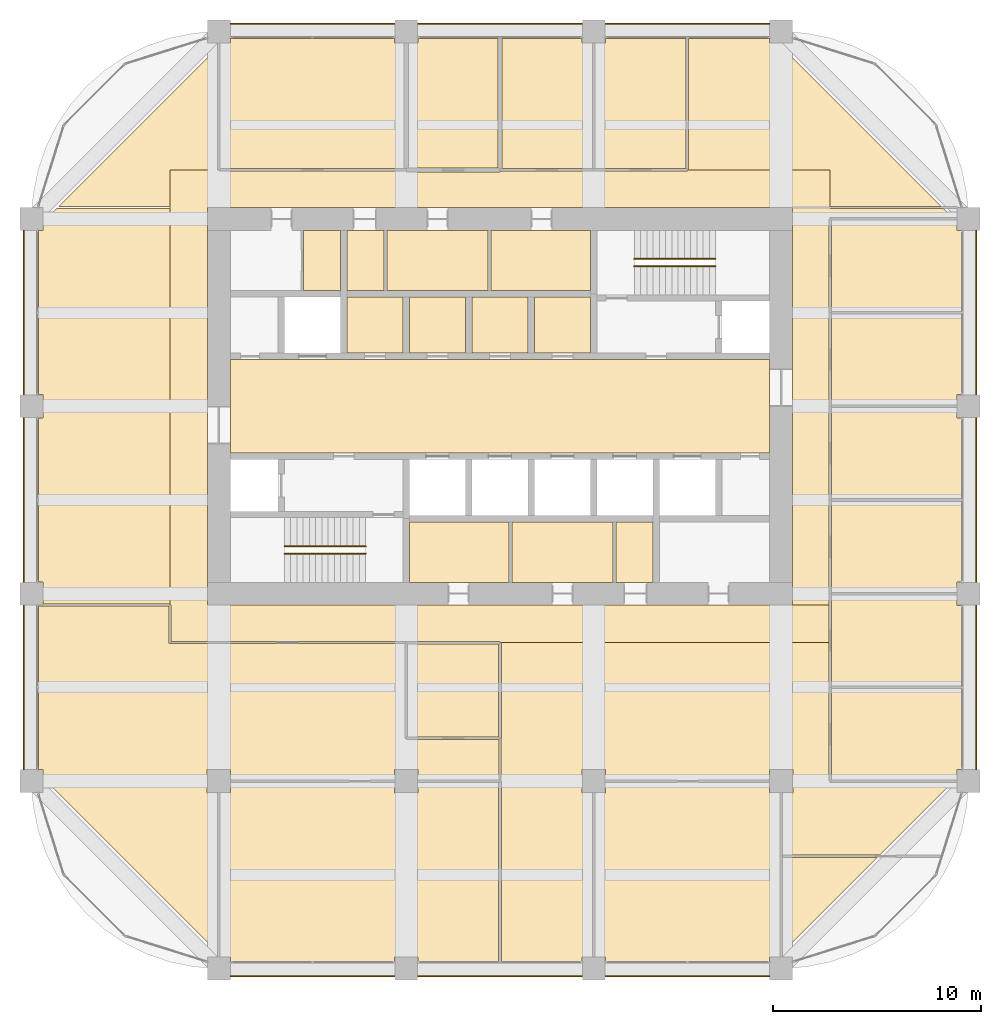
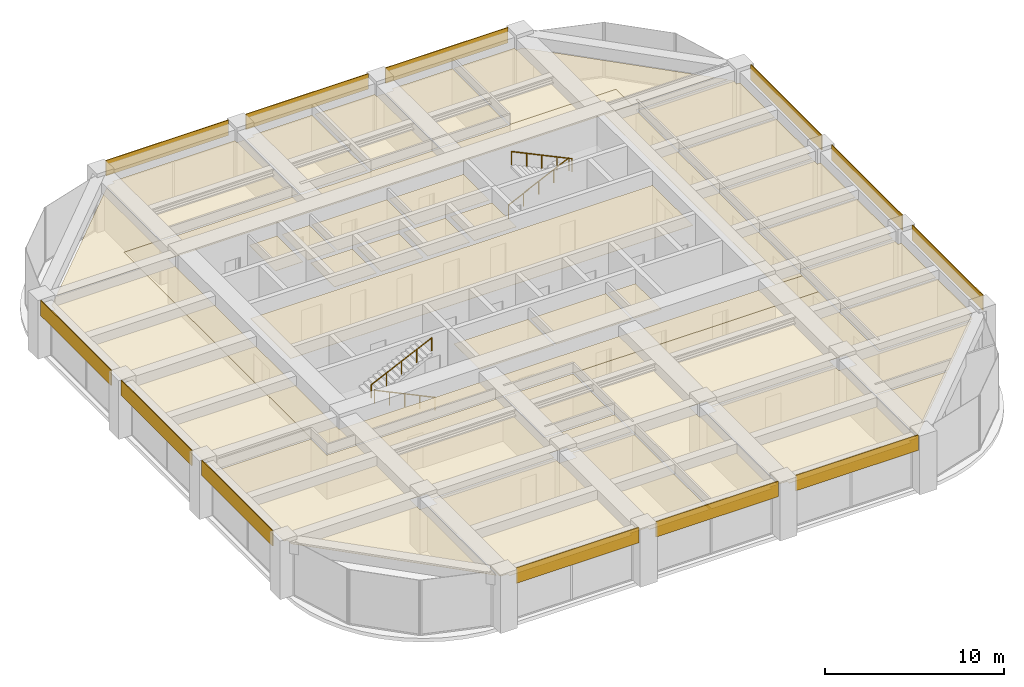
# One storey, part 45 of 45: 45 coverings, 4 railings.
"""IFC4 building model written with IfcOpenShell, lengths in metres."""

import ifcopenshell
import ifcopenshell.guid

model = None  # the IFC model being written
_history = None  # IfcOwnerHistory: only IFC2X3 demands one
_inside = {}  # id of a spatial element -> (the spatial element, [elements in it])
_under = {}  # id of a project, library or spatial element -> (it, [spatial elements below it])
_declared = {}  # id of a project -> (the project, [libraries it declares])
_typed = {}  # id of a type object -> (the type object, [elements of that type])
_made_of = {}  # id of a material, layer set ... -> (it, [elements and type objects made of it])


def new_model(schema):
    """Start an empty IFC model of exactly this schema.

    Asked for "IFC4X3", IfcOpenShell would pick the latest addendum, in which some entities
    have other attributes; the version numbers below select the first issue.
    IFC2X3 requires an IfcOwnerHistory on every rooted entity: one is made here for all.
    """
    global model, _history
    if schema == "IFC4X3":
        model = ifcopenshell.file(schema_version=(4, 3, 0, 0))
    else:
        model = ifcopenshell.file(schema=schema)
    _inside.clear()
    _under.clear()
    _declared.clear()
    _typed.clear()
    _made_of.clear()
    _history = None
    if model.schema == "IFC2X3":
        org = make("IfcOrganization", Name="unknown")
        user = make(
            "IfcPersonAndOrganization",
            ThePerson=make("IfcPerson", FamilyName="unknown"),
            TheOrganization=org,
        )
        app = make(
            "IfcApplication",
            ApplicationDeveloper=org,
            Version="unknown",
            ApplicationFullName="unknown",
            ApplicationIdentifier="unknown",
        )
        _history = make(
            "IfcOwnerHistory",
            OwningUser=user,
            OwningApplication=app,
            ChangeAction="ADDED",
            CreationDate=0,
        )
    return model


def make(cls, **values):
    """One entity of the class cls with the attributes given. An attribute that is None is left unset."""
    return model.create_entity(
        cls, **{name: value for name, value in values.items() if value is not None}
    )


def rooted(cls, **values):
    """An entity with a GlobalId (a new one), such as an element, a storey or a relation."""
    return make(cls, GlobalId=ifcopenshell.guid.new(), OwnerHistory=_history, **values)


def si_unit(unit_type, name, prefix=None):
    """IfcSIUnit, for example si_unit("LENGTHUNIT", "METRE", prefix="MILLI")."""
    return make("IfcSIUnit", UnitType=unit_type, Prefix=prefix, Name=name)


def assignment(units):
    """IfcUnitAssignment: the units of a project."""
    return None if units is None else make("IfcUnitAssignment", Units=units)


def point(xyz):
    """IfcCartesianPoint."""
    return None if xyz is None else make("IfcCartesianPoint", Coordinates=xyz)


def direction(xyz):
    """IfcDirection."""
    return None if xyz is None else make("IfcDirection", DirectionRatios=xyz)


def frame(location, z_axis=None, x_axis=None):
    """IfcAxis2Placement3D, a coordinate frame: its origin and axes. An axis left out is left unset."""
    return make(
        "IfcAxis2Placement3D",
        Location=point(location),
        Axis=direction(z_axis),
        RefDirection=direction(x_axis),
    )


def frame_2d(location, x_axis=None):
    """IfcAxis2Placement2D, a coordinate frame in the plane: its origin and x axis."""
    return make(
        "IfcAxis2Placement2D", Location=point(location), RefDirection=direction(x_axis)
    )


def origin():
    """The frame at (0, 0, 0) with its axes left unset."""
    return frame((0.0, 0.0, 0.0))


def origin_2d():
    """The frame at (0, 0) in the plane with its x axis left unset."""
    return frame_2d((0.0, 0.0))


def place(relative_to, where):
    """IfcLocalPlacement: puts the frame where relative to a parent placement (None: the world)."""
    return make(
        "IfcLocalPlacement", PlacementRelTo=relative_to, RelativePlacement=where
    )


def context(
    kind, dimensions, precision=None, world=None, true_north=None, identifier=None
):
    """IfcGeometricRepresentationContext, for example the 3D "Model" context."""
    return make(
        "IfcGeometricRepresentationContext",
        ContextIdentifier=identifier,
        ContextType=kind,
        CoordinateSpaceDimension=dimensions,
        Precision=precision,
        WorldCoordinateSystem=world,
        TrueNorth=true_north,
    )


def subcontext(parent, identifier, kind, view, scale=None):
    """IfcGeometricRepresentationSubContext, for example "Body" below "Model"."""
    return make(
        "IfcGeometricRepresentationSubContext",
        ContextIdentifier=identifier,
        ContextType=kind,
        ParentContext=parent,
        TargetScale=scale,
        TargetView=view,
    )


def project(units=None, contexts=None):
    """IfcProject with its units and contexts."""
    return rooted(
        "IfcProject",
        Name="project",
        RepresentationContexts=contexts,
        UnitsInContext=assignment(units),
    )


def spatial(cls, under=None, at=None, **own):
    """A site, building, storey or space (cls), placed at a placement, below another one or the project."""
    s = rooted(cls, ObjectPlacement=at, **own)
    if under is not None:
        _under.setdefault(under.id(), (under, []))[1].append(s)
    return s


def polyline(points):
    """IfcPolyline through the points."""
    return make("IfcPolyline", Points=[point(p) for p in points])


def profile(cls, at=None, kind="AREA", **sizes):
    """A parametric profile (cls). Its sizes go by their IFC names, for example OverallWidth=200.0."""
    return make(cls, ProfileType=kind, Position=at, **sizes)


def rectangle(**sizes):
    """IfcRectangleProfileDef."""
    return profile("IfcRectangleProfileDef", **sizes)


def circle(**sizes):
    """IfcCircleProfileDef."""
    return profile("IfcCircleProfileDef", **sizes)


def outline(outer, holes=None, kind="AREA"):
    """IfcArbitraryClosedProfileDef: a profile drawn as a closed curve; with holes, ...WithVoids."""
    if holes is None:
        return make("IfcArbitraryClosedProfileDef", ProfileType=kind, OuterCurve=outer)
    return make(
        "IfcArbitraryProfileDefWithVoids",
        ProfileType=kind,
        OuterCurve=outer,
        InnerCurves=holes,
    )


def extrude(swept, where, along, depth):
    """IfcExtrudedAreaSolid: the profile swept, set in the frame where, extruded along a direction by depth."""
    return make(
        "IfcExtrudedAreaSolid",
        SweptArea=swept,
        Position=where,
        ExtrudedDirection=direction(along),
        Depth=depth,
    )


def shape(context_of_items, identifier, shape_type, items):
    """IfcShapeRepresentation: the items that make up one representation, for example the "Body"."""
    return make(
        "IfcShapeRepresentation",
        ContextOfItems=context_of_items,
        RepresentationIdentifier=identifier,
        RepresentationType=shape_type,
        Items=items,
    )


def material(Name=None, Category=None):
    """IfcMaterial."""
    return make("IfcMaterial", Name=Name, Category=Category)


def layer(
    of_material, thickness, ventilated=None, Name=None, Category=None, Priority=None
):
    """IfcMaterialLayer: one layer of a wall or slab, of a material (None: an air gap)."""
    return make(
        "IfcMaterialLayer",
        Material=of_material,
        LayerThickness=thickness,
        IsVentilated=ventilated,
        Name=Name,
        Category=Category,
        Priority=Priority,
    )


def layer_set(layers, Name=None):
    """IfcMaterialLayerSet."""
    return make("IfcMaterialLayerSet", MaterialLayers=layers, LayerSetName=Name)


def made_of(thing, what):
    """Note that an element or type object is made of a material, layer set ...; save() writes the relation."""
    if what is not None:
        _made_of.setdefault(what.id(), (what, []))[1].append(thing)
    return thing


def type_object(cls, material=None, **own):
    """A type object (cls), such as IfcWallType, which elements share."""
    return made_of(rooted(cls, **own), material)


def element(
    cls,
    number,
    at=None,
    inside=None,
    cuts=None,
    type_object=None,
    material=None,
    context=None,
    identifier="Body",
    shape_type=None,
    held_by="IfcProductDefinitionShape",
    body=None,
    shapes=None,
    **own,
):
    """One element of the class cls, such as IfcWall. Its Tag is "e" and its number.

    at: its placement. inside: the storey or other place that contains it. cuts: it is an
    opening in that element (IfcRelVoidsElement). A single representation is given by context,
    identifier, shape_type and body (its items); several are given by shapes. held_by: the class
    of the entity that holds the representations. save() writes the other relations.
    """
    e = rooted(cls, Tag="e%d" % number, ObjectPlacement=at, **own)
    if body is not None:
        shapes = [shape(context, identifier, shape_type, body)]
    if shapes is not None:
        e.Representation = make(held_by, Representations=shapes)
    if inside is not None:
        _inside.setdefault(inside.id(), (inside, []))[1].append(e)
    if cuts is not None:
        rooted(
            "IfcRelVoidsElement", RelatingBuildingElement=cuts, RelatedOpeningElement=e
        )
    if type_object is not None:
        _typed.setdefault(type_object.id(), (type_object, []))[1].append(e)
    return made_of(e, material)


def aggregate(whole, parts):
    """IfcRelAggregates: a whole, such as a stair, and the parts it consists of."""
    return rooted("IfcRelAggregates", RelatingObject=whole, RelatedObjects=parts)


def save(model, path):
    """Write the relations noted so far, then the file.

    IfcRelAggregates (storeys below a building ...), IfcRelContainedInSpatialStructure (elements
    in a storey), IfcRelDefinesByType, IfcRelAssociatesMaterial and IfcRelDeclares: one each for
    every whole, place, type object, material and project.
    """
    for whole, parts in _under.values():
        aggregate(whole, parts)
    for where, things in _inside.values():
        rooted(
            "IfcRelContainedInSpatialStructure",
            RelatedElements=things,
            RelatingStructure=where,
        )
    for kind, things in _typed.values():
        rooted("IfcRelDefinesByType", RelatedObjects=things, RelatingType=kind)
    for what, things in _made_of.values():
        rooted("IfcRelAssociatesMaterial", RelatedObjects=things, RelatingMaterial=what)
    for by, libraries in _declared.values():
        rooted("IfcRelDeclares", RelatingContext=by, RelatedDefinitions=libraries)
    model.write(path)


model = new_model("IFC4")

# Units and contexts
model_context = context("Model", 3, precision=1e-05, world=origin(), true_north=direction((0.0, 1.0)))
body_context = subcontext(model_context, "Body", "Model", "MODEL_VIEW")
ifc_project = project(units=[si_unit("LENGTHUNIT", "METRE"), si_unit("AREAUNIT", "SQUARE_METRE"), si_unit("VOLUMEUNIT", "CUBIC_METRE"), si_unit("PLANEANGLEUNIT", "RADIAN"), si_unit("MASSUNIT", "GRAM", prefix="KILO")], contexts=[model_context])

# Site, building, storey
site_placement = place(None, origin())
site = spatial("IfcSite", under=ifc_project, at=site_placement, CompositionType="ELEMENT")
building_placement = place(site_placement, origin())
building = spatial("IfcBuilding", under=site, at=building_placement, Name="Zorevar Civic Tower", CompositionType="ELEMENT")
storey_placement = place(building_placement, frame((0.0, 0.0, 279.39990234375)))
storey = spatial("IfcBuildingStorey", under=building, at=storey_placement, Name="L68", CompositionType="ELEMENT", Elevation=279.39990234375)

# Railings
ifc_material_1 = material(Name="Black steel handrail", Category="steel")
railing_type = type_object("IfcRailingType", Name="Handrail HR1 900", PredefinedType="HANDRAIL", material=ifc_material_1)
railing_1_placement = place(storey_placement, frame((25.050048828125, 19.925048828125, 0.14306640625)))
element("IfcRailing", 1, at=railing_1_placement, inside=storey, type_object=railing_type, Name="Handrail HR1 ST1 L68", PredefinedType="HANDRAIL", context=body_context, shape_type="SweptSolid", body=[
    extrude(circle(Radius=0.02392578125, at=origin_2d()), frame((0.0, 0.0, 0.8759765625), z_axis=(-0.902885590262, 0.0, 0.429880926418), x_axis=(0.0, -1.0, 0.0)), (0.0, 0.0, 1.0), 4.319580078125),
    extrude(circle(Radius=0.02099609375, at=origin_2d()), origin(), (0.0, 0.0, 1.0), 0.851806640625),
    extrude(circle(Radius=0.02099609375, at=origin_2d()), frame((-0.97509765625, 0.0, 0.46435546875)), (0.0, 0.0, 1.0), 0.851806640625),
    extrude(circle(Radius=0.02099609375, at=origin_2d()), frame((-1.9501953125, 0.0, 0.928466796875)), (0.0, 0.0, 1.0), 0.851806640625),
    extrude(circle(Radius=0.02099609375, at=origin_2d()), frame((-2.925048828125, 0.0, 1.392578125)), (0.0, 0.0, 1.0), 0.851806640625),
    extrude(circle(Radius=0.02099609375, at=origin_2d()), frame((-3.900146484375, 0.0, 1.85693359375)), (0.0, 0.0, 1.0), 0.851806640625),
])
for number, where, name in (
    (2, (21.14990234375, 20.27490234375, 2.14306640625), "Handrail HR1 ST1 L68"),
    (3, (37.949951171875, 34.074951171875, 0.14306640625), "Handrail HR1 ST2 L68"),
):
    element("IfcRailing", number, at=place(storey_placement, frame(where)), inside=storey, type_object=railing_type, Name=name, PredefinedType="HANDRAIL", context=body_context, shape_type="SweptSolid", body=[
        extrude(circle(Radius=0.02392578125, at=origin_2d()), frame((0.0, 0.0, 0.8759765625), z_axis=(0.902885590262, 0.0, 0.429880926418), x_axis=(0.0, 1.0, 0.0)), (0.0, 0.0, 1.0), 4.319580078125),
        extrude(circle(Radius=0.02099609375, at=origin_2d()), origin(), (0.0, 0.0, 1.0), 0.851806640625),
        extrude(circle(Radius=0.02099609375, at=origin_2d()), frame((0.97509765625, 0.0, 0.46435546875)), (0.0, 0.0, 1.0), 0.851806640625),
        extrude(circle(Radius=0.02099609375, at=origin_2d()), frame((1.9501953125, 0.0, 0.928466796875)), (0.0, 0.0, 1.0), 0.851806640625),
        extrude(circle(Radius=0.02099609375, at=origin_2d()), frame((2.925048828125, 0.0, 1.392578125)), (0.0, 0.0, 1.0), 0.851806640625),
        extrude(circle(Radius=0.02099609375, at=origin_2d()), frame((3.900146484375, 0.0, 1.85693359375)), (0.0, 0.0, 1.0), 0.851806640625),
    ])
railing_2_placement = place(storey_placement, frame((41.85009765625, 33.72509765625, 2.14306640625)))
element("IfcRailing", 4, at=railing_2_placement, inside=storey, type_object=railing_type, Name="Handrail HR1 ST2 L68", PredefinedType="HANDRAIL", context=body_context, shape_type="SweptSolid", body=[
    extrude(circle(Radius=0.02392578125, at=origin_2d()), frame((0.0, 0.0, 0.8759765625), z_axis=(-0.902885590262, 0.0, 0.429880926418), x_axis=(0.0, -1.0, 0.0)), (0.0, 0.0, 1.0), 4.319580078125),
    extrude(circle(Radius=0.02099609375, at=origin_2d()), origin(), (0.0, 0.0, 1.0), 0.851806640625),
    extrude(circle(Radius=0.02099609375, at=origin_2d()), frame((-0.97509765625, 0.0, 0.46435546875)), (0.0, 0.0, 1.0), 0.851806640625),
    extrude(circle(Radius=0.02099609375, at=origin_2d()), frame((-1.9501953125, 0.0, 0.928466796875)), (0.0, 0.0, 1.0), 0.851806640625),
    extrude(circle(Radius=0.02099609375, at=origin_2d()), frame((-2.925048828125, 0.0, 1.392578125)), (0.0, 0.0, 1.0), 0.851806640625),
    extrude(circle(Radius=0.02099609375, at=origin_2d()), frame((-3.900146484375, 0.0, 1.85693359375)), (0.0, 0.0, 1.0), 0.851806640625),
])

# Coverings
ifc_material_2 = material(Name="Moisture-resistant gypsum board")
ifc_layer_1 = layer(ifc_material_2, 0.012451171875)
ifc_layer_set_1 = layer_set([ifc_layer_1], Name="Moisture-resistant ceiling SC3")
covering_type_1 = type_object("IfcCoveringType", Name="Moisture-resistant ceiling SC3", PredefinedType="CEILING", material=ifc_layer_set_1)
covering_1_placement = place(storey_placement, frame((0.0, 0.0, 3.0)))
element("IfcCovering", 5, at=covering_1_placement, inside=storey, type_object=covering_type_1, Name="Ceiling L68-05", PredefinedType="CEILING", context=body_context, shape_type="SweptSolid", body=[
    extrude(outline(polyline([(31.925048828125, 18.550048828125), (31.925048828125, 21.449951171875), (27.14990234375, 21.449951171875), (27.14990234375, 18.550048828125), (31.925048828125, 18.550048828125)])), origin(), (0.0, 0.0, 1.0), 0.0126953125),
])
covering_2_placement = place(storey_placement, frame((0.0, 0.0, 3.0)))
element("IfcCovering", 6, at=covering_2_placement, inside=storey, type_object=covering_type_1, Name="Ceiling L68-06", PredefinedType="CEILING", context=body_context, shape_type="SweptSolid", body=[
    extrude(outline(polyline([(36.925048828125, 18.550048828125), (36.925048828125, 21.449951171875), (32.074951171875, 21.449951171875), (32.074951171875, 18.550048828125), (36.925048828125, 18.550048828125)])), origin(), (0.0, 0.0, 1.0), 0.0126953125),
])
covering_3_placement = place(storey_placement, frame((0.0, 0.0, 3.0)))
element("IfcCovering", 7, at=covering_3_placement, inside=storey, type_object=covering_type_1, Name="Ceiling L68-07", PredefinedType="CEILING", context=body_context, shape_type="SweptSolid", body=[
    extrude(outline(polyline([(38.85009765625, 18.550048828125), (38.85009765625, 21.449951171875), (37.074951171875, 21.449951171875), (37.074951171875, 18.550048828125), (38.85009765625, 18.550048828125)])), origin(), (0.0, 0.0, 1.0), 0.0126953125),
])
covering_4_placement = place(storey_placement, frame((0.0, 0.0, 3.0)))
element("IfcCovering", 8, at=covering_4_placement, inside=storey, type_object=covering_type_1, Name="Ceiling L68-08", PredefinedType="CEILING", context=body_context, shape_type="SweptSolid", body=[
    extrude(outline(polyline([(35.85009765625, 32.550048828125), (35.85009765625, 35.449951171875), (31.074951171875, 35.449951171875), (31.074951171875, 32.550048828125), (35.85009765625, 32.550048828125)])), origin(), (0.0, 0.0, 1.0), 0.0126953125),
])
covering_5_placement = place(storey_placement, frame((0.0, 0.0, 3.0)))
element("IfcCovering", 9, at=covering_5_placement, inside=storey, type_object=covering_type_1, Name="Ceiling L68-09", PredefinedType="CEILING", context=body_context, shape_type="SweptSolid", body=[
    extrude(outline(polyline([(30.925048828125, 32.550048828125), (30.925048828125, 35.449951171875), (26.074951171875, 35.449951171875), (26.074951171875, 32.550048828125), (30.925048828125, 32.550048828125)])), origin(), (0.0, 0.0, 1.0), 0.0126953125),
])
covering_6_placement = place(storey_placement, frame((0.0, 0.0, 3.0)))
element("IfcCovering", 10, at=covering_6_placement, inside=storey, type_object=covering_type_1, Name="Ceiling L68-10", PredefinedType="CEILING", context=body_context, shape_type="SweptSolid", body=[
    extrude(outline(polyline([(25.925048828125, 32.550048828125), (25.925048828125, 35.449951171875), (24.14990234375, 35.449951171875), (24.14990234375, 32.550048828125), (25.925048828125, 32.550048828125)])), origin(), (0.0, 0.0, 1.0), 0.0126953125),
])
ifc_material_3 = material(Name="Black anodised aluminium spandrel panel", Category="aluminium")
ifc_layer_2 = layer(ifc_material_3, 0.050048828125)
ifc_layer_set_2 = layer_set([ifc_layer_2], Name="Spandrel cladding SP1")
covering_type_2 = type_object("IfcCoveringType", Name="Spandrel cladding SP1", PredefinedType="CLADDING", material=ifc_layer_set_2)
for number, where, z_axis, x_axis, name in (
    (11, (18.550048828125, -0.375, 2.9501953125), (0.0, 0.0, 1.0), (1.0, 0.0, 0.0), "Spandrel cladding L69"),
    (12, (27.550048828125, -0.375, 2.9501953125), (0.0, 0.0, 1.0), (1.0, 0.0, 0.0), "Spandrel cladding L69"),
    (13, (36.550048828125, -0.375, 2.9501953125), (0.0, 0.0, 1.0), (1.0, 0.0, 0.0), "Spandrel cladding L69"),
    (14, (18.550048828125, 45.375, 2.9501953125), (0.0, 0.0, 1.0), (1.0, 0.0, 0.0), "Spandrel cladding L69"),
    (15, (27.550048828125, 45.375, 2.9501953125), (0.0, 0.0, 1.0), (1.0, 0.0, 0.0), "Spandrel cladding L69"),
    (16, (36.550048828125, 45.375, 2.9501953125), (0.0, 0.0, 1.0), (1.0, 0.0, 0.0), "Spandrel cladding L69"),
    (17, (8.625, 9.550048828125, 2.9501953125), (0.0, 0.0, 1.0), (0.0, 1.0, 0.0), "Spandrel cladding L69"),
    (18, (8.625, 18.550048828125, 2.9501953125), (0.0, 0.0, 1.0), (0.0, 1.0, 0.0), "Spandrel cladding L69"),
    (19, (8.625, 27.550048828125, 2.9501953125), (0.0, 0.0, 1.0), (0.0, 1.0, 0.0), "Spandrel cladding L69"),
    (20, (54.375, 9.550048828125, 2.9501953125), (0.0, 0.0, 1.0), (0.0, 1.0, 0.0), "Spandrel cladding L69"),
    (21, (54.375, 18.550048828125, 2.9501953125), (0.0, 0.0, 1.0), (0.0, 1.0, 0.0), "Spandrel cladding L69"),
    (22, (54.375, 27.550048828125, 2.9501953125), (0.0, 0.0, 1.0), (0.0, 1.0, 0.0), "Spandrel cladding L69"),
):
    element("IfcCovering", number, at=place(storey_placement, frame(where, z_axis=z_axis, x_axis=x_axis)), inside=storey, type_object=covering_type_2, Name=name, PredefinedType="CLADDING", context=body_context, shape_type="SweptSolid", body=[
        extrude(rectangle(XDim=7.89990234375, YDim=0.050048828125, at=frame_2d((3.949951171875, 0.0))), origin(), (0.0, 0.0, 1.0), 1.0498046875),
    ])
ifc_material_4 = material(Name="Mineral fibre tiles on a concealed grid")
ifc_layer_3 = layer(ifc_material_4, 0.02001953125)
ifc_layer_set_3 = layer_set([ifc_layer_3], Name="Suspended ceiling SC1")
covering_type_3 = type_object("IfcCoveringType", Name="Suspended ceiling SC1", PredefinedType="CEILING", material=ifc_layer_set_3)
covering_7_placement = place(storey_placement, frame((0.0, 0.0, 3.0)))
element("IfcCovering", 23, at=covering_7_placement, inside=storey, type_object=covering_type_3, Name="Ceiling L68-12", PredefinedType="CEILING", context=body_context, shape_type="SweptSolid", body=[
    extrude(outline(polyline([(23.85009765625, 32.550048828125), (23.85009765625, 35.449951171875), (22.06005859375, 35.449951171875), (22.06005859375, 32.550048828125), (23.85009765625, 32.550048828125)])), origin(), (0.0, 0.0, 1.0), 0.02001953125),
])
covering_8_placement = place(storey_placement, frame((0.0, 0.0, 3.0)))
element("IfcCovering", 24, at=covering_8_placement, inside=storey, type_object=covering_type_3, Name="Ceiling L68-16", PredefinedType="CEILING", context=body_context, shape_type="SweptSolid", body=[
    extrude(outline(polyline([(44.449951171875, 24.75), (44.449951171875, 29.25), (18.550048828125, 29.25), (18.550048828125, 24.75), (44.449951171875, 24.75)])), origin(), (0.0, 0.0, 1.0), 0.02001953125),
])
covering_9_placement = place(storey_placement, frame((0.0, 0.0, 3.0)))
element("IfcCovering", 25, at=covering_9_placement, inside=storey, type_object=covering_type_3, Name="Ceiling L68-17", PredefinedType="CEILING", context=body_context, shape_type="SweptSolid", body=[
    extrude(outline(polyline([(35.85009765625, 29.550048828125), (35.85009765625, 32.25), (33.14990234375, 32.25), (33.14990234375, 29.550048828125), (35.85009765625, 29.550048828125)])), origin(), (0.0, 0.0, 1.0), 0.02001953125),
])
covering_10_placement = place(storey_placement, frame((0.0, 0.0, 3.0)))
element("IfcCovering", 26, at=covering_10_placement, inside=storey, type_object=covering_type_3, Name="Ceiling L68-18", PredefinedType="CEILING", context=body_context, shape_type="SweptSolid", body=[
    extrude(outline(polyline([(32.85009765625, 29.550048828125), (32.85009765625, 32.25), (30.14990234375, 32.25), (30.14990234375, 29.550048828125), (32.85009765625, 29.550048828125)])), origin(), (0.0, 0.0, 1.0), 0.02001953125),
])
covering_11_placement = place(storey_placement, frame((0.0, 0.0, 3.0)))
element("IfcCovering", 27, at=covering_11_placement, inside=storey, type_object=covering_type_3, Name="Ceiling L68-19", PredefinedType="CEILING", context=body_context, shape_type="SweptSolid", body=[
    extrude(outline(polyline([(29.85009765625, 29.550048828125), (29.85009765625, 32.25), (27.14990234375, 32.25), (27.14990234375, 29.550048828125), (29.85009765625, 29.550048828125)])), origin(), (0.0, 0.0, 1.0), 0.02001953125),
])
covering_12_placement = place(storey_placement, frame((0.0, 0.0, 3.0)))
element("IfcCovering", 28, at=covering_12_placement, inside=storey, type_object=covering_type_3, Name="Ceiling L68-20", PredefinedType="CEILING", context=body_context, shape_type="SweptSolid", body=[
    extrude(outline(polyline([(26.85009765625, 29.550048828125), (26.85009765625, 32.25), (24.14990234375, 32.25), (24.14990234375, 29.550048828125), (26.85009765625, 29.550048828125)])), origin(), (0.0, 0.0, 1.0), 0.02001953125),
])
covering_13_placement = place(storey_placement, frame((0.0, 0.0, 3.0)))
element("IfcCovering", 29, at=covering_13_placement, inside=storey, type_object=covering_type_3, Name="Ceiling L68-21", PredefinedType="CEILING", context=body_context, shape_type="SweptSolid", body=[
    extrude(outline(polyline([(18.147216796875, 0.56005859375), (18.06005859375, 0.647216796875), (18.06005859375, 8.43994140625), (18.56005859375, 8.43994140625), (18.56005859375, 8.93994140625), (26.43994140625, 8.93994140625), (26.43994140625, 8.43994140625), (27.56005859375, 8.43994140625), (27.56005859375, 8.93994140625), (31.43994140625, 8.93994140625), (31.43994140625, 0.35009765625), (27.56005859375, 0.35009765625), (27.56005859375, 0.56005859375), (26.43994140625, 0.56005859375), (26.43994140625, 0.35009765625), (18.56005859375, 0.35009765625), (18.56005859375, 0.56005859375), (18.147216796875, 0.56005859375)])), origin(), (0.0, 0.0, 1.0), 0.02001953125),
])
covering_14_placement = place(storey_placement, frame((0.0, 0.0, 3.0)))
element("IfcCovering", 30, at=covering_14_placement, inside=storey, type_object=covering_type_3, Name="Ceiling L68-22", PredefinedType="CEILING", context=body_context, shape_type="SweptSolid", body=[
    extrude(outline(polyline([(36.06005859375, 0.56005859375), (36.06005859375, 8.43994140625), (36.56005859375, 8.43994140625), (36.56005859375, 8.93994140625), (44.43994140625, 8.93994140625), (44.43994140625, 8.43994140625), (44.93994140625, 8.43994140625), (44.93994140625, 0.647216796875), (44.852783203125, 0.56005859375), (44.43994140625, 0.56005859375), (44.43994140625, 0.35009765625), (36.56005859375, 0.35009765625), (36.56005859375, 0.56005859375), (36.06005859375, 0.56005859375)])), origin(), (0.0, 0.0, 1.0), 0.02001953125),
])
covering_15_placement = place(storey_placement, frame((0.0, 0.0, 3.0)))
element("IfcCovering", 31, at=covering_15_placement, inside=storey, type_object=covering_type_3, Name="Ceiling L68-23", PredefinedType="CEILING", context=body_context, shape_type="SweptSolid", body=[
    extrude(outline(polyline([(18.56005859375, 44.64990234375), (26.43994140625, 44.64990234375), (26.43994140625, 44.43994140625), (26.89990234375, 44.43994140625), (26.89990234375, 38.409912109375), (18.06005859375, 38.409912109375), (18.06005859375, 44.352783203125), (18.147216796875, 44.43994140625), (18.56005859375, 44.43994140625), (18.56005859375, 44.64990234375)])), origin(), (0.0, 0.0, 1.0), 0.02001953125),
])
covering_16_placement = place(storey_placement, frame((0.0, 0.0, 3.0)))
element("IfcCovering", 32, at=covering_16_placement, inside=storey, type_object=covering_type_3, Name="Ceiling L68-24", PredefinedType="CEILING", context=body_context, shape_type="SweptSolid", body=[
    extrude(outline(polyline([(27.10009765625, 38.449951171875), (27.10009765625, 44.43994140625), (27.56005859375, 44.43994140625), (27.56005859375, 44.64990234375), (31.39990234375, 44.64990234375), (31.39990234375, 38.449951171875), (27.10009765625, 38.449951171875)])), origin(), (0.0, 0.0, 1.0), 0.02001953125),
])
covering_17_placement = place(storey_placement, frame((0.0, 0.0, 3.0)))
element("IfcCovering", 33, at=covering_17_placement, inside=storey, type_object=covering_type_3, Name="Ceiling L68-25", PredefinedType="CEILING", context=body_context, shape_type="SweptSolid", body=[
    extrude(outline(polyline([(31.60009765625, 38.409912109375), (31.60009765625, 44.64990234375), (35.43994140625, 44.64990234375), (35.43994140625, 44.43994140625), (35.93994140625, 44.43994140625), (35.93994140625, 38.409912109375), (31.60009765625, 38.409912109375)])), origin(), (0.0, 0.0, 1.0), 0.02001953125),
])
covering_18_placement = place(storey_placement, frame((0.0, 0.0, 3.0)))
element("IfcCovering", 34, at=covering_18_placement, inside=storey, type_object=covering_type_3, Name="Ceiling L68-26", PredefinedType="CEILING", context=body_context, shape_type="SweptSolid", body=[
    extrude(outline(polyline([(36.06005859375, 38.409912109375), (36.06005859375, 44.43994140625), (36.56005859375, 44.43994140625), (36.56005859375, 44.64990234375), (40.43994140625, 44.64990234375), (40.43994140625, 38.409912109375), (36.06005859375, 38.409912109375)])), origin(), (0.0, 0.0, 1.0), 0.02001953125),
])
covering_19_placement = place(storey_placement, frame((0.0, 0.0, 3.0)))
element("IfcCovering", 35, at=covering_19_placement, inside=storey, type_object=covering_type_3, Name="Ceiling L68-27", PredefinedType="CEILING", context=body_context, shape_type="SweptSolid", body=[
    extrude(outline(polyline([(53.64990234375, 13.43994140625), (53.64990234375, 9.56005859375), (53.43994140625, 9.56005859375), (53.43994140625, 9.147216796875), (53.352783203125, 9.06005859375), (47.409912109375, 9.06005859375), (47.409912109375, 13.43994140625), (53.64990234375, 13.43994140625)])), origin(), (0.0, 0.0, 1.0), 0.02001953125),
])
covering_20_placement = place(storey_placement, frame((0.0, 0.0, 3.0)))
element("IfcCovering", 36, at=covering_20_placement, inside=storey, type_object=covering_type_3, Name="Ceiling L68-28", PredefinedType="CEILING", context=body_context, shape_type="SweptSolid", body=[
    extrude(outline(polyline([(47.409912109375, 17.93994140625), (53.43994140625, 17.93994140625), (53.43994140625, 17.43994140625), (53.64990234375, 17.43994140625), (53.64990234375, 13.56005859375), (47.409912109375, 13.56005859375), (47.409912109375, 17.93994140625)])), origin(), (0.0, 0.0, 1.0), 0.02001953125),
])
covering_21_placement = place(storey_placement, frame((0.0, 0.0, 3.0)))
element("IfcCovering", 37, at=covering_21_placement, inside=storey, type_object=covering_type_3, Name="Ceiling L68-29", PredefinedType="CEILING", context=body_context, shape_type="SweptSolid", body=[
    extrude(outline(polyline([(47.409912109375, 22.43994140625), (53.64990234375, 22.43994140625), (53.64990234375, 18.56005859375), (53.43994140625, 18.56005859375), (53.43994140625, 18.06005859375), (47.409912109375, 18.06005859375), (47.409912109375, 22.43994140625)])), origin(), (0.0, 0.0, 1.0), 0.02001953125),
])
covering_22_placement = place(storey_placement, frame((0.0, 0.0, 3.0)))
element("IfcCovering", 38, at=covering_22_placement, inside=storey, type_object=covering_type_3, Name="Ceiling L68-30", PredefinedType="CEILING", context=body_context, shape_type="SweptSolid", body=[
    extrude(outline(polyline([(47.409912109375, 26.93994140625), (53.43994140625, 26.93994140625), (53.43994140625, 26.43994140625), (53.64990234375, 26.43994140625), (53.64990234375, 22.56005859375), (47.409912109375, 22.56005859375), (47.409912109375, 26.93994140625)])), origin(), (0.0, 0.0, 1.0), 0.02001953125),
])
covering_23_placement = place(storey_placement, frame((0.0, 0.0, 3.0)))
element("IfcCovering", 39, at=covering_23_placement, inside=storey, type_object=covering_type_3, Name="Ceiling L68-31", PredefinedType="CEILING", context=body_context, shape_type="SweptSolid", body=[
    extrude(outline(polyline([(47.409912109375, 31.43994140625), (53.64990234375, 31.43994140625), (53.64990234375, 27.56005859375), (53.43994140625, 27.56005859375), (53.43994140625, 27.06005859375), (47.409912109375, 27.06005859375), (47.409912109375, 31.43994140625)])), origin(), (0.0, 0.0, 1.0), 0.02001953125),
])
covering_24_placement = place(storey_placement, frame((0.0, 0.0, 3.0)))
element("IfcCovering", 40, at=covering_24_placement, inside=storey, type_object=covering_type_3, Name="Ceiling L68-32", PredefinedType="CEILING", context=body_context, shape_type="SweptSolid", body=[
    extrude(outline(polyline([(53.352783203125, 35.93994140625), (53.43994140625, 35.852783203125), (53.43994140625, 35.43994140625), (53.64990234375, 35.43994140625), (53.64990234375, 31.56005859375), (47.409912109375, 31.56005859375), (47.409912109375, 35.93994140625), (53.352783203125, 35.93994140625)])), origin(), (0.0, 0.0, 1.0), 0.02001953125),
])
covering_25_placement = place(storey_placement, frame((0.0, 0.0, 3.0)))
element("IfcCovering", 41, at=covering_25_placement, inside=storey, type_object=covering_type_3, Name="Ceiling L68-33", PredefinedType="CEILING", context=body_context, shape_type="SweptSolid", body=[
    extrude(outline(polyline([(31.43994140625, 15.590087890625), (31.43994140625, 11.110107421875), (27.06005859375, 11.110107421875), (27.06005859375, 15.590087890625), (31.43994140625, 15.590087890625)])), origin(), (0.0, 0.0, 1.0), 0.02001953125),
])
covering_26_placement = place(storey_placement, frame((0.0, 0.0, 3.0)))
element("IfcCovering", 42, at=covering_26_placement, inside=storey, type_object=covering_type_3, Name="Ceiling L68-34", PredefinedType="CEILING", context=body_context, shape_type="SweptSolid", body=[
    extrude(outline(polyline([(45.06005859375, 5.340087890625), (49.6328125, 5.340087890625), (45.06005859375, 0.76708984375), (45.06005859375, 5.340087890625)])), origin(), (0.0, 0.0, 1.0), 0.02001953125),
])
covering_27_placement = place(storey_placement, frame((0.0, 0.0, 3.0)))
element("IfcCovering", 43, at=covering_27_placement, inside=storey, type_object=covering_type_3, Name="Ceiling L68-35", PredefinedType="CEILING", context=body_context, shape_type="SweptSolid", body=[
    extrude(outline(polyline([(47.2900390625, 15.64990234375), (31.5, 15.64990234375), (31.5, 15.7099609375), (27.0, 15.7099609375), (27.0, 15.64990234375), (26.989990234375, 15.64990234375), (26.989990234375, 15.699951171875), (15.699951171875, 15.699951171875), (15.699951171875, 17.449951171875), (15.64990234375, 17.449951171875), (15.64990234375, 38.35009765625), (18.0, 38.35009765625), (18.0, 38.2900390625), (27.0, 38.2900390625), (27.0, 38.25), (31.5, 38.25), (31.5, 38.2900390625), (40.5, 38.2900390625), (40.5, 38.35009765625), (47.35009765625, 38.35009765625), (47.35009765625, 36.550048828125), (17.449951171875, 36.550048828125), (17.449951171875, 17.449951171875), (47.2900390625, 17.449951171875), (47.2900390625, 15.64990234375)])), origin(), (0.0, 0.0, 1.0), 0.02001953125),
])
covering_28_placement = place(storey_placement, frame((0.0, 0.0, 3.0)))
element("IfcCovering", 44, at=covering_28_placement, inside=storey, type_object=covering_type_3, Name="Ceiling L68-36", PredefinedType="CEILING", context=body_context, shape_type="SweptSolid", body=[
    extrude(outline(polyline([(47.35009765625, 36.0), (47.2900390625, 36.0), (47.2900390625, 17.449951171875), (45.550048828125, 17.449951171875), (45.550048828125, 36.550048828125), (47.35009765625, 36.550048828125), (47.35009765625, 36.5), (52.79296875, 36.5), (53.23291015625, 36.06005859375), (47.35009765625, 36.06005859375), (47.35009765625, 36.0)])), origin(), (0.0, 0.0, 1.0), 0.02001953125),
])
covering_29_placement = place(storey_placement, frame((0.0, 0.0, 3.0)))
element("IfcCovering", 45, at=covering_29_placement, inside=storey, type_object=covering_type_3, Name="Ceiling L68-37", PredefinedType="CEILING", context=body_context, shape_type="SweptSolid", body=[
    extrude(outline(polyline([(44.43994140625, 44.64990234375), (44.43994140625, 44.43994140625), (44.852783203125, 44.43994140625), (52.69287109375, 36.60009765625), (47.35009765625, 36.60009765625), (47.35009765625, 38.35009765625), (40.56005859375, 38.35009765625), (40.56005859375, 44.64990234375), (44.43994140625, 44.64990234375)])), origin(), (0.0, 0.0, 1.0), 0.02001953125),
])
covering_30_placement = place(storey_placement, frame((0.0, 0.0, 3.0)))
element("IfcCovering", 46, at=covering_30_placement, inside=storey, type_object=covering_type_3, Name="Ceiling L68-38", PredefinedType="CEILING", context=body_context, shape_type="SweptSolid", body=[
    extrude(outline(polyline([(17.93994140625, 38.35009765625), (15.64990234375, 38.35009765625), (15.64990234375, 36.60009765625), (10.30712890625, 36.60009765625), (17.93994140625, 44.23291015625), (17.93994140625, 38.35009765625)])), origin(), (0.0, 0.0, 1.0), 0.02001953125),
])
covering_31_placement = place(storey_placement, frame((0.0, 0.0, 3.0)))
element("IfcCovering", 47, at=covering_31_placement, inside=storey, type_object=covering_type_3, Name="Ceiling L68-39", PredefinedType="CEILING", context=body_context, shape_type="SweptSolid", body=[
    extrude(outline(polyline([(9.56005859375, 9.56005859375), (9.35009765625, 9.56005859375), (9.35009765625, 17.39990234375), (15.60009765625, 17.39990234375), (15.60009765625, 15.60009765625), (26.93994140625, 15.60009765625), (26.93994140625, 11.050048828125), (27.0, 11.050048828125), (27.0, 10.989990234375), (31.449951171875, 10.989990234375), (31.449951171875, 9.06005859375), (27.56005859375, 9.06005859375), (27.56005859375, 9.56005859375), (26.43994140625, 9.56005859375), (26.43994140625, 9.06005859375), (18.56005859375, 9.06005859375), (18.56005859375, 9.56005859375), (17.43994140625, 9.56005859375), (17.43994140625, 8.43994140625), (17.93994140625, 8.43994140625), (17.93994140625, 0.76708984375), (9.56005859375, 9.147216796875), (9.56005859375, 9.56005859375)])), origin(), (0.0, 0.0, 1.0), 0.02001953125),
])
covering_32_placement = place(storey_placement, frame((0.0, 0.0, 3.0)))
element("IfcCovering", 48, at=covering_32_placement, inside=storey, type_object=covering_type_3, Name="Ceiling L68-40", PredefinedType="CEILING", context=body_context, shape_type="SweptSolid", body=[
    extrude(outline(polyline([(53.23291015625, 8.93994140625), (49.7529296875, 5.4599609375), (45.06005859375, 5.4599609375), (45.06005859375, 8.43994140625), (45.56005859375, 8.43994140625), (45.56005859375, 9.56005859375), (44.43994140625, 9.56005859375), (44.43994140625, 9.06005859375), (36.56005859375, 9.06005859375), (36.56005859375, 9.56005859375), (35.43994140625, 9.56005859375), (35.43994140625, 8.43994140625), (35.93994140625, 8.43994140625), (35.93994140625, 0.56005859375), (35.43994140625, 0.56005859375), (35.43994140625, 0.35009765625), (31.56005859375, 0.35009765625), (31.56005859375, 9.0), (31.550048828125, 9.0), (31.550048828125, 11.050048828125), (31.56005859375, 11.050048828125), (31.56005859375, 15.64990234375), (47.2900390625, 15.64990234375), (47.2900390625, 9.0), (47.35009765625, 9.0), (47.35009765625, 8.93994140625), (53.23291015625, 8.93994140625)])), origin(), (0.0, 0.0, 1.0), 0.02001953125),
])
covering_33_placement = place(storey_placement, frame((0.0, 0.0, 3.0)))
element("IfcCovering", 49, at=covering_33_placement, inside=storey, type_object=covering_type_3, Name="Ceiling L68-41", PredefinedType="CEILING", context=body_context, shape_type="SweptSolid", body=[
    extrude(outline(polyline([(9.35009765625, 18.56005859375), (9.35009765625, 26.43994140625), (9.56005859375, 26.43994140625), (9.56005859375, 27.56005859375), (9.35009765625, 27.56005859375), (9.35009765625, 35.43994140625), (9.56005859375, 35.43994140625), (9.56005859375, 35.852783203125), (10.20703125, 36.5), (15.64990234375, 36.5), (15.64990234375, 17.5), (9.56005859375, 17.5), (9.56005859375, 18.56005859375), (9.35009765625, 18.56005859375)])), origin(), (0.0, 0.0, 1.0), 0.02001953125),
])

save(model, "model.ifc")
